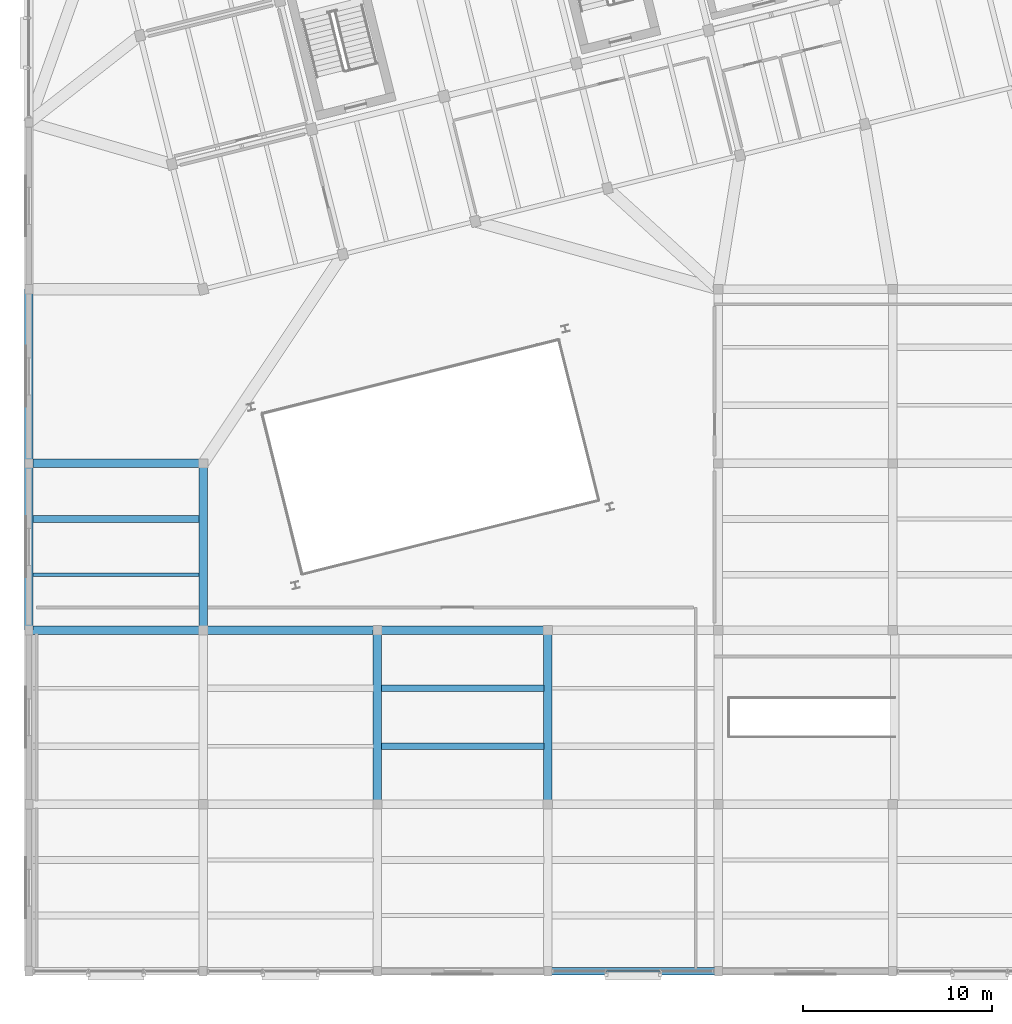
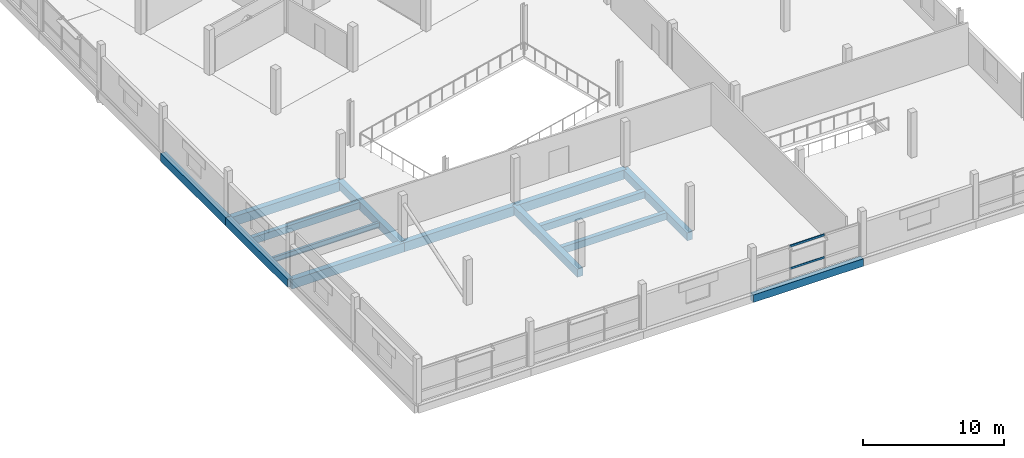
# One storey, part 10 of 62: 14 beams, 2 members, 1 element without a shape of its own.
"""IFC4 building model written with IfcOpenShell, lengths in metres."""

from ifc_helpers import new_model, si_unit, direction, frame, origin, origin_2d, place, context, subcontext, project, spatial, rectangle, hollow_rectangle, i_section, extrude, material, layer, layer_set, material_profile, profile_set, type_object, element, aggregate, save


model = new_model("IFC4")

# Units and contexts
model_context = context("Model", 3, precision=1e-05, world=origin(), true_north=direction((0.0, 1.0)))
body_context = subcontext(model_context, "Body", "Model", "MODEL_VIEW")
ifc_project = project(units=[si_unit("LENGTHUNIT", "METRE"), si_unit("AREAUNIT", "SQUARE_METRE"), si_unit("VOLUMEUNIT", "CUBIC_METRE"), si_unit("PLANEANGLEUNIT", "RADIAN"), si_unit("MASSUNIT", "GRAM", prefix="KILO")], contexts=[model_context])

# Site, building, storey
site_placement = place(None, origin())
site = spatial("IfcSite", under=ifc_project, at=site_placement, CompositionType="ELEMENT")
building_placement = place(site_placement, origin())
building = spatial("IfcBuilding", under=site, at=building_placement, Name="Meriwether Solvik Hall", CompositionType="ELEMENT")
storey_placement = place(building_placement, frame((0.0, 0.0, 14.39990234375)))
storey = spatial("IfcBuildingStorey", under=building, at=storey_placement, Name="L03", CompositionType="ELEMENT", Elevation=14.39990234375)

# Beams
ifc_material_1 = material(Name="Concrete C40/50", Category="concrete")
ifc_material_profile_1 = material_profile(ifc_material_1, rectangle(XDim=0.35009765625, YDim=0.60009765625, at=origin_2d()), Name="RCB-350X600")
ifc_profile_set_1 = profile_set([ifc_material_profile_1], Name="Concrete C40/50")
beam_type_1 = type_object("IfcBeamType", Name="BM-RC-350X600", PredefinedType="JOIST", material=ifc_profile_set_1)
beam_1_placement = place(storey_placement, frame((59.6201171875, 29.066650390625, -0.544921875), z_axis=(1.0, 0.0, 0.0), x_axis=(0.0, 1.0, 0.0)))
element("IfcBeam", 1, at=beam_1_placement, inside=storey, type_object=beam_type_1, Name="Secondary Floor Joist 7/C_J2 (L03)", PredefinedType="JOIST", context=body_context, shape_type="SweptSolid", body=[
    extrude(rectangle(XDim=0.35009765625, YDim=0.60009765625, at=origin_2d()), origin(), (0.0, 0.0, 1.0), 8.759765625),
])
for number, where, z_axis, x_axis, name in (
    (2, (78.02001953125, 17.066650390625, -0.544921875), (1.0, 0.0, 0.0), (0.0, 1.0, 0.0), "Secondary Floor Joist 9/B_J1 (L03)"),
    (3, (78.02001953125, 20.13330078125, -0.544921875), (1.0, 0.0, 0.0), (0.0, 1.0, 0.0), "Secondary Floor Joist 9/B_J2 (L03)"),
):
    element("IfcBeam", number, at=place(storey_placement, frame(where, z_axis=z_axis, x_axis=x_axis)), inside=storey, type_object=beam_type_1, Name=name, PredefinedType="JOIST", context=body_context, shape_type="SweptSolid", body=[
        extrude(rectangle(XDim=0.35009765625, YDim=0.60009765625, at=origin_2d()), origin(), (0.0, 0.0, 1.0), 8.56005859375),
    ])
ifc_material_2 = material(Name="Concrete C40/50", Category="concrete")
ifc_material_profile_2 = material_profile(ifc_material_2, rectangle(XDim=0.39990234375, YDim=0.64990234375, at=origin_2d()), Name="RCB-400X650")
ifc_profile_set_2 = profile_set([ifc_material_profile_2], Name="Concrete C40/50")
beam_type_2 = type_object("IfcBeamType", Name="BM-RC-400X650", PredefinedType="SPANDREL", material=ifc_profile_set_2)
beam_2_placement = place(storey_placement, frame((86.800048828125, 5.199951171875, -0.56982421875), z_axis=(1.0, 0.0, 0.0), x_axis=(0.0, 1.0, 0.0)))
element("IfcBeam", 4, at=beam_2_placement, inside=storey, type_object=beam_type_2, Name="Podium Girder A:10-11 (L03)", PredefinedType="SPANDREL", context=body_context, shape_type="SweptSolid", body=[
    extrude(rectangle(XDim=0.39990234375, YDim=0.64990234375, at=origin_2d()), origin(), (0.0, 0.0, 1.0), 9.0),
])
ifc_material_3 = material(Name="Concrete C40/50", Category="concrete")
ifc_material_profile_3 = material_profile(ifc_material_3, rectangle(XDim=0.449951171875, YDim=0.699951171875, at=origin_2d()), Name="RCB-450X700")
ifc_profile_set_3 = profile_set([ifc_material_profile_3], Name="Concrete C40/50")
beam_type_3 = type_object("IfcBeamType", Name="BM-RC-450X700", PredefinedType="BEAM", material=ifc_profile_set_3)
beam_3_placement = place(storey_placement, frame((59.39990234375, 23.199951171875, -0.594970703125), z_axis=(0.0, 1.0, 0.0), x_axis=(-1.0, 0.0, 0.0)))
element("IfcBeam", 5, at=beam_3_placement, inside=storey, type_object=beam_type_3, Name="Podium Girder 7:C-D (L03)", PredefinedType="BEAM", context=body_context, shape_type="SweptSolid", body=[
    extrude(rectangle(XDim=0.449951171875, YDim=0.699951171875, at=origin_2d()), origin(), (0.0, 0.0, 1.0), 8.800048828125),
])
beam_4_placement = place(storey_placement, frame((59.39990234375, 32.0, -0.594970703125), z_axis=(0.0, 1.0, 0.0), x_axis=(-1.0, 0.0, 0.0)))
element("IfcBeam", 6, at=beam_4_placement, inside=storey, type_object=beam_type_3, Name="Podium Girder 7:D-E (L03)", PredefinedType="BEAM", context=body_context, shape_type="SweptSolid", body=[
    extrude(rectangle(XDim=0.449951171875, YDim=0.699951171875, at=origin_2d()), origin(), (0.0, 0.0, 1.0), 9.199951171875),
])
beam_5_placement = place(storey_placement, frame((68.60009765625, 23.199951171875, -0.594970703125), z_axis=(0.0, 1.0, 0.0), x_axis=(-1.0, 0.0, 0.0)))
element("IfcBeam", 7, at=beam_5_placement, inside=storey, type_object=beam_type_3, Name="Podium Girder 8:C-D (L03)", PredefinedType="BEAM", context=body_context, shape_type="SweptSolid", body=[
    extrude(rectangle(XDim=0.449951171875, YDim=0.699951171875, at=origin_2d()), origin(), (0.0, 0.0, 1.0), 8.800048828125),
])
for number, where, z_axis, x_axis, name in (
    (8, (77.800048828125, 14.0, -0.594970703125), (0.0, 1.0, 0.0), (-1.0, 0.0, 0.0), "Podium Girder 9:B-C (L03)"),
    (9, (86.800048828125, 14.0, -0.594970703125), (0.0, 1.0, 0.0), (-1.0, 0.0, 0.0), "Podium Girder 10:B-C (L03)"),
):
    element("IfcBeam", number, at=place(storey_placement, frame(where, z_axis=z_axis, x_axis=x_axis)), inside=storey, type_object=beam_type_3, Name=name, PredefinedType="BEAM", context=body_context, shape_type="SweptSolid", body=[
        extrude(rectangle(XDim=0.449951171875, YDim=0.699951171875, at=origin_2d()), origin(), (0.0, 0.0, 1.0), 9.199951171875),
    ])
ifc_material_4 = material(Name="Concrete C40/50", Category="concrete")
ifc_material_profile_4 = material_profile(ifc_material_4, rectangle(XDim=0.449951171875, YDim=0.800048828125, at=origin_2d()), Name="RCB-450X800")
ifc_profile_set_4 = profile_set([ifc_material_profile_4], Name="Concrete C40/50")
beam_type_4 = type_object("IfcBeamType", Name="BM-RC-450X800", PredefinedType="BEAM", material=ifc_profile_set_4)
beam_6_placement = place(storey_placement, frame((59.39990234375, 23.199951171875, -0.64501953125), z_axis=(1.0, 0.0, 0.0), x_axis=(0.0, 1.0, 0.0)))
element("IfcBeam", 10, at=beam_6_placement, inside=storey, type_object=beam_type_4, Name="Podium Girder C:7-8 (L03)", PredefinedType="BEAM", context=body_context, shape_type="SweptSolid", body=[
    extrude(rectangle(XDim=0.449951171875, YDim=0.800048828125, at=origin_2d()), origin(), (0.0, 0.0, 1.0), 9.2001953125),
])
beam_7_placement = place(storey_placement, frame((68.60009765625, 23.199951171875, -0.64501953125), z_axis=(1.0, 0.0, 0.0), x_axis=(0.0, 1.0, 0.0)))
element("IfcBeam", 11, at=beam_7_placement, inside=storey, type_object=beam_type_4, Name="Podium Girder C:8-9 (L03)", PredefinedType="BEAM", context=body_context, shape_type="SweptSolid", body=[
    extrude(rectangle(XDim=0.449951171875, YDim=0.800048828125, at=origin_2d()), origin(), (0.0, 0.0, 1.0), 9.199951171875),
])
beam_8_placement = place(storey_placement, frame((77.800048828125, 23.199951171875, -0.64501953125), z_axis=(1.0, 0.0, 0.0), x_axis=(0.0, 1.0, 0.0)))
element("IfcBeam", 12, at=beam_8_placement, inside=storey, type_object=beam_type_4, Name="Podium Girder C:9-10 (L03)", PredefinedType="BEAM", context=body_context, shape_type="SweptSolid", body=[
    extrude(rectangle(XDim=0.449951171875, YDim=0.800048828125, at=origin_2d()), origin(), (0.0, 0.0, 1.0), 9.0),
])
beam_9_placement = place(storey_placement, frame((59.39990234375, 32.0, -0.64501953125), z_axis=(1.0, 0.0, 0.0), x_axis=(0.0, 1.0, 0.0)))
element("IfcBeam", 13, at=beam_9_placement, inside=storey, type_object=beam_type_4, Name="Podium Girder D:7-8 (L03)", PredefinedType="BEAM", context=body_context, shape_type="SweptSolid", body=[
    extrude(rectangle(XDim=0.449951171875, YDim=0.800048828125, at=origin_2d()), origin(), (0.0, 0.0, 1.0), 9.2001953125),
])
ifc_material_5 = material(Name="Steel A992 Grade 50", Category="steel")
ifc_material_profile_5 = material_profile(ifc_material_5, i_section(OverallWidth=0.19091796875, OverallDepth=0.45703125, WebThickness=0.009033203125, FlangeThickness=0.014404296875, at=origin_2d()), Name="W18X50")
ifc_profile_set_5 = profile_set([ifc_material_profile_5], Name="Steel A992 Grade 50")
beam_type_5 = type_object("IfcBeamType", Name="BM-STL-W18X50", PredefinedType="JOIST", material=ifc_profile_set_5)
beam_10_placement = place(storey_placement, frame((59.6201171875, 26.13330078125, -0.473388671875), z_axis=(1.0, 0.0, 0.0), x_axis=(0.0, 1.0, 0.0)))
element("IfcBeam", 14, at=beam_10_placement, inside=storey, type_object=beam_type_5, Name="Secondary Floor Joist 7/C_J1 (L03)", PredefinedType="JOIST", context=body_context, shape_type="SweptSolid", body=[
    extrude(i_section(OverallWidth=0.19091796875, OverallDepth=0.45703125, WebThickness=0.009033203125, FlangeThickness=0.014404296875, at=origin_2d()), origin(), (0.0, 0.0, 1.0), 8.759765625),
])

# Curtain wall, members
ifc_material_6 = material(Name="Thermally Broken Anodised Aluminium 6063-T6 and Low-E Glass", Category="aluminium")
ifc_layer = layer(ifc_material_6, 0.179931640625)
ifc_layer_set = layer_set([ifc_layer], Name="Thermally Broken Anodised Aluminium 6063-T6 and Low-E Glass")
curtain_wall_type = type_object("IfcCurtainWallType", Name="CW-UNIT-E", PredefinedType="USERDEFINED", material=ifc_layer_set)
curtain_wall_placement = place(storey_placement, origin())
curtain_wall = element("IfcCurtainWall", 15, at=curtain_wall_placement, inside=storey, type_object=curtain_wall_type, Name="Curtain Wall wing_XA_10_3 (L03)", ObjectType="UNITISED CURTAIN WALL", PredefinedType="USERDEFINED")
ifc_material_7 = material(Name="Anodised Aluminium 6063-T6", Category="aluminium")
ifc_material_profile_6 = material_profile(ifc_material_7, hollow_rectangle(XDim=0.074951171875, YDim=0.169921875, WallThickness=0.005615234375, at=origin_2d()), Name="CWT-75X170")
ifc_profile_set_6 = profile_set([ifc_material_profile_6], Name="Anodised Aluminium 6063-T6")
member_type = type_object("IfcMemberType", Name="CW-TRN-75X170", PredefinedType="USERDEFINED", material=ifc_profile_set_6)
member_1_placement = place(storey_placement, frame((92.72607421875, 5.199951171875, 0.856689453125), z_axis=(-1.0, 0.0, 0.0), x_axis=(0.0, -1.0, 0.0)))
member_1 = element("IfcMember", 16, at=member_1_placement, type_object=member_type, Name="Curtain Wall Transom 2-sill", ObjectType="TRANSOM", PredefinedType="USERDEFINED", context=body_context, shape_type="SweptSolid", body=[
    extrude(hollow_rectangle(XDim=0.074951171875, YDim=0.169921875, WallThickness=0.005615234375, at=origin_2d()), origin(), (0.0, 0.0, 1.0), 2.85205078125),
])
member_2_placement = place(storey_placement, frame((92.72607421875, 5.199951171875, 2.795166015625), z_axis=(-1.0, 0.0, 0.0), x_axis=(0.0, -1.0, 0.0)))
member_2 = element("IfcMember", 17, at=member_2_placement, type_object=member_type, Name="Curtain Wall Transom 2-head", ObjectType="TRANSOM", PredefinedType="USERDEFINED", context=body_context, shape_type="SweptSolid", body=[
    extrude(hollow_rectangle(XDim=0.074951171875, YDim=0.169921875, WallThickness=0.005615234375, at=origin_2d()), origin(), (0.0, 0.0, 1.0), 2.85205078125),
])
aggregate(curtain_wall, [member_1, member_2])

save(model, "model.ifc")
